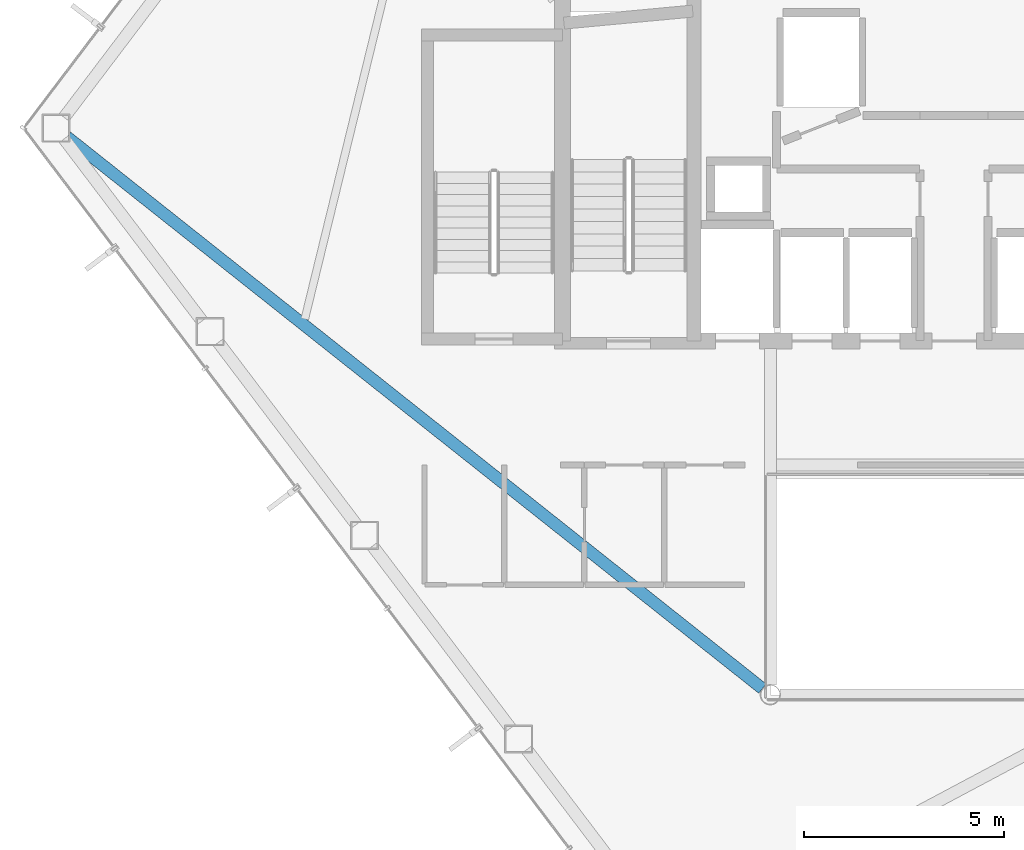
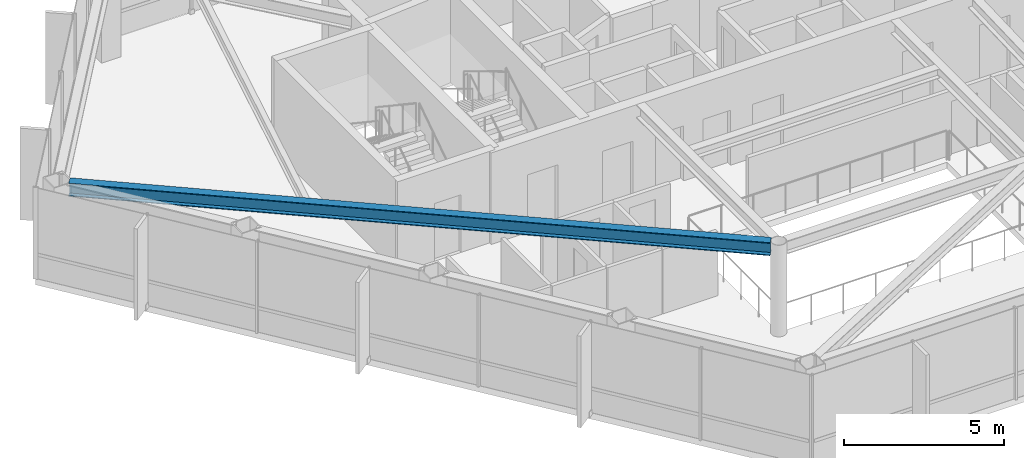
# One storey, part 5 of 27: 1 beam.
"""IFC4 building model written with IfcOpenShell, lengths in metres."""

from ifc_helpers import new_model, si_unit, direction, frame, origin, origin_2d, place, context, subcontext, project, spatial, i_section, extrude, material, material_profile, profile_set, type_object, element, save


model = new_model("IFC4")

# Units and contexts
model_context = context("Model", 3, precision=1e-05, world=origin(), true_north=direction((0.0, 1.0)))
body_context = subcontext(model_context, "Body", "Model", "MODEL_VIEW")
ifc_project = project(units=[si_unit("LENGTHUNIT", "METRE"), si_unit("AREAUNIT", "SQUARE_METRE"), si_unit("VOLUMEUNIT", "CUBIC_METRE"), si_unit("PLANEANGLEUNIT", "RADIAN"), si_unit("MASSUNIT", "GRAM", prefix="KILO")], contexts=[model_context])

# Site, building, storey
site_placement = place(None, origin())
site = spatial("IfcSite", under=ifc_project, at=site_placement, CompositionType="ELEMENT")
building_placement = place(site_placement, origin())
building = spatial("IfcBuilding", under=site, at=building_placement, Name="Zarrinselat Tower", CompositionType="ELEMENT")
storey_placement = place(building_placement, frame((0.0, 0.0, 175.780029296875)))
storey = spatial("IfcBuildingStorey", under=building, at=storey_placement, Name="L43", CompositionType="ELEMENT", Elevation=175.780029296875)

# Beam
ifc_material = material(Name="Steel S355J2", Category="steel")
ifc_material_profile = material_profile(ifc_material, i_section(OverallWidth=0.300048828125, OverallDepth=0.5, WebThickness=0.014404296875, FlangeThickness=0.028076171875, at=origin_2d()), Name="HEB 500")
ifc_profile_set = profile_set([ifc_material_profile], Name="Steel S355J2")
beam_type = type_object("IfcBeamType", Name="BM-HEB500", PredefinedType="BEAM", material=ifc_profile_set)
beam_placement = place(storey_placement, frame((16.21142578125, 38.352783203125, 3.25), z_axis=(0.783426410154, -0.62148456125, 0.0), x_axis=(0.62148456125, 0.783426410154, 0.0)))
element("IfcBeam", 1, at=beam_placement, inside=storey, type_object=beam_type, Name="L43 Radial Primary Girder RG06", PredefinedType="BEAM", context=body_context, shape_type="SweptSolid", body=[
    extrude(i_section(OverallWidth=0.300048828125, OverallDepth=0.5, WebThickness=0.014404296875, FlangeThickness=0.028076171875, at=origin_2d()), origin(), (0.0, 0.0, 1.0), 22.20068359375),
])

save(model, "model.ifc")
